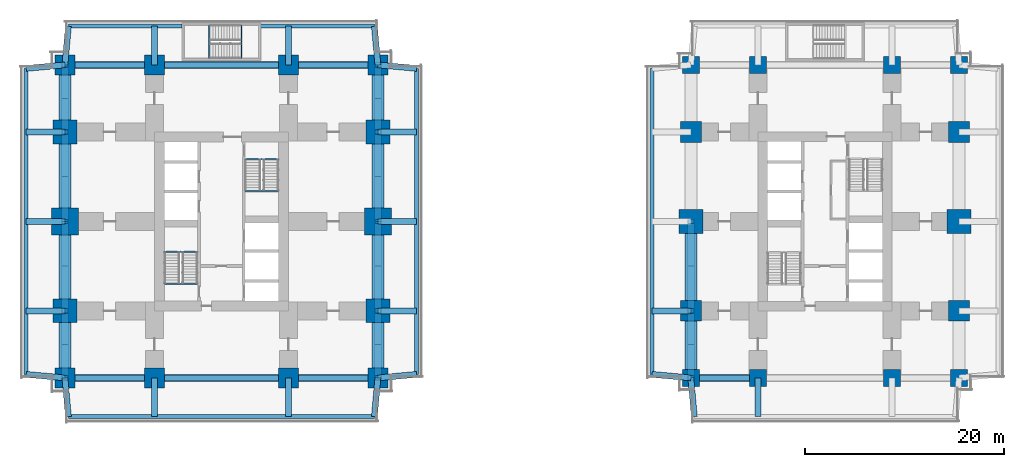
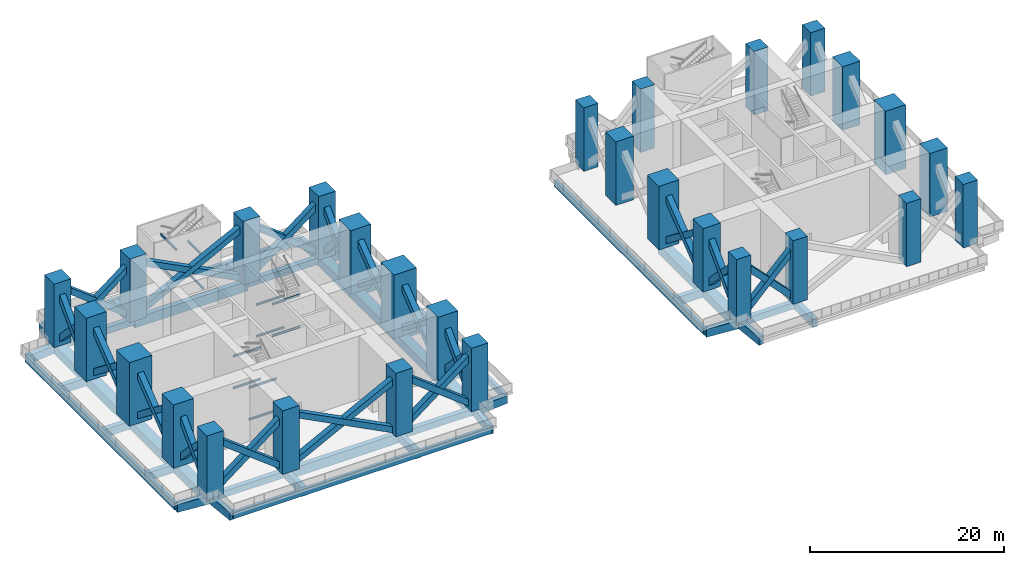
# One storey, part 1 of 12: 57 beams, 34 members, 28 columns.
"""IFC4 building model written with IfcOpenShell, lengths in metres."""

from ifc_helpers import new_model, si_unit, direction, frame, origin, origin_2d, place, context, subcontext, project, spatial, rectangle, hollow_rectangle, i_section, extrude, material, material_profile, profile_set, type_object, element, save


model = new_model("IFC4")

# Units and contexts
model_context = context("Model", 3, precision=1e-05, world=origin(), true_north=direction((0.0, 1.0)))
body_context = subcontext(model_context, "Body", "Model", "MODEL_VIEW")
ifc_project = project(units=[si_unit("LENGTHUNIT", "METRE"), si_unit("AREAUNIT", "SQUARE_METRE"), si_unit("VOLUMEUNIT", "CUBIC_METRE"), si_unit("PLANEANGLEUNIT", "RADIAN"), si_unit("MASSUNIT", "GRAM", prefix="KILO")], contexts=[model_context])

# Site, building, storey
site_placement = place(None, origin())
site = spatial("IfcSite", under=ifc_project, at=site_placement, CompositionType="ELEMENT")
building_placement = place(site_placement, origin())
building = spatial("IfcBuilding", under=site, at=building_placement, Name="Namib Vertical Campus", CompositionType="ELEMENT")
storey_placement = place(building_placement, frame((0.0, 0.0, 77.0)))
storey = spatial("IfcBuildingStorey", under=building, at=storey_placement, Name="L18", CompositionType="ELEMENT", Elevation=77.0)

# Columns
ifc_material_1 = material(Name="Concrete C60/75", Category="concrete")
ifc_material_profile_1 = material_profile(ifc_material_1, rectangle(XDim=1.699951171875, YDim=1.699951171875, at=origin_2d()))
ifc_profile_set_1 = profile_set([ifc_material_profile_1], Name="Concrete C60/75")
column_type_1 = type_object("IfcColumnType", Name="Column RC 1700x1700", PredefinedType="COLUMN", material=ifc_profile_set_1)
for number, where, z_axis, x_axis, name in (
    (1, (67.5, 4.5, 0.0), (0.0, 0.0, 1.0), (1.0, 0.0, 0.0), "Column C170 L18"),
    (2, (74.25, 4.5, 0.0), (0.0, 0.0, 1.0), (1.0, 0.0, 0.0), "Column C170 L18"),
    (3, (87.75, 4.5, 0.0), (0.0, 0.0, 1.0), (1.0, 0.0, 0.0), "Column C170 L18"),
    (4, (94.5, 4.5, 0.0), (0.0, 0.0, 1.0), (1.0, 0.0, 0.0), "Column C170 L18"),
    (5, (67.5, 36.0, 0.0), (0.0, 0.0, 1.0), (1.0, 0.0, 0.0), "Column C170 L18"),
    (6, (74.25, 36.0, 0.0), (0.0, 0.0, 1.0), (1.0, 0.0, 0.0), "Column C170 L18"),
    (7, (87.75, 36.0, 0.0), (0.0, 0.0, 1.0), (1.0, 0.0, 0.0), "Column C170 L18"),
    (8, (94.5, 36.0, 0.0), (0.0, 0.0, 1.0), (1.0, 0.0, 0.0), "Column C170 L18"),
):
    element("IfcColumn", number, at=place(storey_placement, frame(where, z_axis=z_axis, x_axis=x_axis)), inside=storey, type_object=column_type_1, Name=name, PredefinedType="COLUMN", context=body_context, shape_type="SweptSolid", body=[
        extrude(rectangle(XDim=1.699951171875, YDim=1.699951171875, at=origin_2d()), origin(), (0.0, 0.0, 1.0), 8.0),
    ])
ifc_material_2 = material(Name="Concrete C60/75", Category="concrete")
ifc_material_profile_2 = material_profile(ifc_material_2, rectangle(XDim=2.0, YDim=2.0, at=origin_2d()))
ifc_profile_set_2 = profile_set([ifc_material_profile_2], Name="Concrete C60/75")
column_type_2 = type_object("IfcColumnType", Name="Column RC 2000x2000", PredefinedType="COLUMN", material=ifc_profile_set_2)
for number, where, z_axis, x_axis, name in (
    (9, (4.5, 4.5, 0.0), (0.0, 0.0, 1.0), (1.0, 0.0, 0.0), "Column C200 L18"),
    (10, (13.5, 4.5, 0.0), (0.0, 0.0, 1.0), (1.0, 0.0, 0.0), "Column C200 L18"),
    (11, (27.0, 4.5, 0.0), (0.0, 0.0, 1.0), (1.0, 0.0, 0.0), "Column C200 L18"),
    (12, (36.0, 4.5, 0.0), (0.0, 0.0, 1.0), (1.0, 0.0, 0.0), "Column C200 L18"),
    (13, (4.5, 36.0, 0.0), (0.0, 0.0, 1.0), (1.0, 0.0, 0.0), "Column C200 L18"),
    (14, (13.5, 36.0, 0.0), (0.0, 0.0, 1.0), (1.0, 0.0, 0.0), "Column C200 L18"),
    (15, (27.0, 36.0, 0.0), (0.0, 0.0, 1.0), (1.0, 0.0, 0.0), "Column C200 L18"),
    (16, (36.0, 36.0, 0.0), (0.0, 0.0, 1.0), (1.0, 0.0, 0.0), "Column C200 L18"),
):
    element("IfcColumn", number, at=place(storey_placement, frame(where, z_axis=z_axis, x_axis=x_axis)), inside=storey, type_object=column_type_2, Name=name, PredefinedType="COLUMN", context=body_context, shape_type="SweptSolid", body=[
        extrude(rectangle(XDim=2.0, YDim=2.0, at=origin_2d()), origin(), (0.0, 0.0, 1.0), 8.0),
    ])
ifc_material_3 = material(Name="Concrete C60/75", Category="concrete")
ifc_material_profile_3 = material_profile(ifc_material_3, rectangle(XDim=2.10009765625, YDim=2.10009765625, at=origin_2d()))
ifc_profile_set_3 = profile_set([ifc_material_profile_3], Name="Concrete C60/75")
column_type_3 = type_object("IfcColumnType", Name="Column RC 2100x2100", PredefinedType="COLUMN", material=ifc_profile_set_3)
for number, where, z_axis, x_axis, name in (
    (17, (67.5, 11.25, 0.0), (0.0, 0.0, 1.0), (1.0, 0.0, 0.0), "Column C210 L18"),
    (18, (94.5, 11.25, 0.0), (0.0, 0.0, 1.0), (1.0, 0.0, 0.0), "Column C210 L18"),
    (19, (67.5, 29.25, 0.0), (0.0, 0.0, 1.0), (1.0, 0.0, 0.0), "Column C210 L18"),
    (20, (94.5, 29.25, 0.0), (0.0, 0.0, 1.0), (1.0, 0.0, 0.0), "Column C210 L18"),
):
    element("IfcColumn", number, at=place(storey_placement, frame(where, z_axis=z_axis, x_axis=x_axis)), inside=storey, type_object=column_type_3, Name=name, PredefinedType="COLUMN", context=body_context, shape_type="SweptSolid", body=[
        extrude(rectangle(XDim=2.10009765625, YDim=2.10009765625, at=origin_2d()), origin(), (0.0, 0.0, 1.0), 8.0),
    ])
ifc_material_4 = material(Name="Concrete C60/75", Category="concrete")
ifc_material_profile_4 = material_profile(ifc_material_4, rectangle(XDim=2.39990234375, YDim=2.39990234375, at=origin_2d()))
ifc_profile_set_4 = profile_set([ifc_material_profile_4], Name="Concrete C60/75")
column_type_4 = type_object("IfcColumnType", Name="Column RC 2400x2400", PredefinedType="COLUMN", material=ifc_profile_set_4)
for number, where, z_axis, x_axis, name in (
    (21, (4.5, 11.25, 0.0), (0.0, 0.0, 1.0), (1.0, 0.0, 0.0), "Column C240 L18"),
    (22, (36.0, 11.25, 0.0), (0.0, 0.0, 1.0), (1.0, 0.0, 0.0), "Column C240 L18"),
    (23, (4.5, 29.25, 0.0), (0.0, 0.0, 1.0), (1.0, 0.0, 0.0), "Column C240 L18"),
    (24, (36.0, 29.25, 0.0), (0.0, 0.0, 1.0), (1.0, 0.0, 0.0), "Column C240 L18"),
    (25, (67.5, 20.25, 0.0), (0.0, 0.0, 1.0), (1.0, 0.0, 0.0), "Column C240 L18"),
    (26, (94.5, 20.25, 0.0), (0.0, 0.0, 1.0), (1.0, 0.0, 0.0), "Column C240 L18"),
):
    element("IfcColumn", number, at=place(storey_placement, frame(where, z_axis=z_axis, x_axis=x_axis)), inside=storey, type_object=column_type_4, Name=name, PredefinedType="COLUMN", context=body_context, shape_type="SweptSolid", body=[
        extrude(rectangle(XDim=2.39990234375, YDim=2.39990234375, at=origin_2d()), origin(), (0.0, 0.0, 1.0), 8.0),
    ])
ifc_material_5 = material(Name="Concrete C60/75", Category="concrete")
ifc_material_profile_5 = material_profile(ifc_material_5, rectangle(XDim=2.699951171875, YDim=2.699951171875, at=origin_2d()))
ifc_profile_set_5 = profile_set([ifc_material_profile_5], Name="Concrete C60/75")
column_type_5 = type_object("IfcColumnType", Name="Column RC 2700x2700", PredefinedType="COLUMN", material=ifc_profile_set_5)
for number, where, z_axis, x_axis, name in (
    (27, (4.5, 20.25, 0.0), (0.0, 0.0, 1.0), (1.0, 0.0, 0.0), "Column C270 L18"),
    (28, (36.0, 20.25, 0.0), (0.0, 0.0, 1.0), (1.0, 0.0, 0.0), "Column C270 L18"),
):
    element("IfcColumn", number, at=place(storey_placement, frame(where, z_axis=z_axis, x_axis=x_axis)), inside=storey, type_object=column_type_5, Name=name, PredefinedType="COLUMN", context=body_context, shape_type="SweptSolid", body=[
        extrude(rectangle(XDim=2.699951171875, YDim=2.699951171875, at=origin_2d()), origin(), (0.0, 0.0, 1.0), 8.0),
    ])

# Members
ifc_material_6 = material(Name="Steel S355JR", Category="steel")
ifc_material_profile_6 = material_profile(ifc_material_6, hollow_rectangle(XDim=0.699951171875, YDim=0.699951171875, WallThickness=0.0400390625, at=origin_2d()))
ifc_profile_set_6 = profile_set([ifc_material_profile_6], Name="Steel S355JR")
member_type = type_object("IfcMemberType", Name="Belt truss diagonal WB 700x700x40", PredefinedType="BRACE", material=ifc_profile_set_6)
for number, where, z_axis, x_axis, name in (
    (29, (4.5, 4.5, 0.0), (0.79148044328, 0.0, 0.611194492699), (0.0, 1.0, 0.0), "Belt truss diagonal A L18 S1"),
    (30, (13.5, 4.5, 0.0), (-0.79148044328, 0.0, 0.611194492699), (0.0, -1.0, 0.0), "Belt truss diagonal A L18 S2"),
):
    element("IfcMember", number, at=place(storey_placement, frame(where, z_axis=z_axis, x_axis=x_axis)), inside=storey, type_object=member_type, Name=name, PredefinedType="BRACE", context=body_context, shape_type="SweptSolid", body=[
        extrude(hollow_rectangle(XDim=0.699951171875, YDim=0.699951171875, WallThickness=0.0400390625, at=origin_2d()), origin(), (0.0, 0.0, 1.0), 11.37109375),
    ])
for number, where, z_axis, x_axis, name in (
    (31, (13.5, 4.5, 0.0), (0.889097706218, 0.0, 0.457717455203), (0.0, 1.0, 0.0), "Belt truss diagonal A L18 S3"),
    (32, (27.0, 4.5, 0.0), (-0.889097706218, 0.0, 0.457717455203), (0.0, -1.0, 0.0), "Belt truss diagonal A L18 S4"),
):
    element("IfcMember", number, at=place(storey_placement, frame(where, z_axis=z_axis, x_axis=x_axis)), inside=storey, type_object=member_type, Name=name, PredefinedType="BRACE", context=body_context, shape_type="SweptSolid", body=[
        extrude(hollow_rectangle(XDim=0.699951171875, YDim=0.699951171875, WallThickness=0.0400390625, at=origin_2d()), origin(), (0.0, 0.0, 1.0), 15.183837890625),
    ])
for number, where, z_axis, x_axis, name in (
    (33, (27.0, 4.5, 0.0), (0.79148044328, 0.0, 0.611194492699), (0.0, 1.0, 0.0), "Belt truss diagonal A L18 S5"),
    (34, (36.0, 4.5, 0.0), (-0.79148044328, 0.0, 0.611194492699), (0.0, -1.0, 0.0), "Belt truss diagonal A L18 S6"),
    (35, (4.5, 36.0, 0.0), (0.79148044328, 0.0, 0.611194492699), (0.0, 1.0, 0.0), "Belt truss diagonal A L18 N7"),
    (36, (13.5, 36.0, 0.0), (-0.79148044328, 0.0, 0.611194492699), (0.0, -1.0, 0.0), "Belt truss diagonal A L18 N8"),
):
    element("IfcMember", number, at=place(storey_placement, frame(where, z_axis=z_axis, x_axis=x_axis)), inside=storey, type_object=member_type, Name=name, PredefinedType="BRACE", context=body_context, shape_type="SweptSolid", body=[
        extrude(hollow_rectangle(XDim=0.699951171875, YDim=0.699951171875, WallThickness=0.0400390625, at=origin_2d()), origin(), (0.0, 0.0, 1.0), 11.37109375),
    ])
for number, where, z_axis, x_axis, name in (
    (37, (13.5, 36.0, 0.0), (0.889097706218, 0.0, 0.457717455203), (0.0, 1.0, 0.0), "Belt truss diagonal A L18 N9"),
    (38, (27.0, 36.0, 0.0), (-0.889097706218, 0.0, 0.457717455203), (0.0, -1.0, 0.0), "Belt truss diagonal A L18 N10"),
):
    element("IfcMember", number, at=place(storey_placement, frame(where, z_axis=z_axis, x_axis=x_axis)), inside=storey, type_object=member_type, Name=name, PredefinedType="BRACE", context=body_context, shape_type="SweptSolid", body=[
        extrude(hollow_rectangle(XDim=0.699951171875, YDim=0.699951171875, WallThickness=0.0400390625, at=origin_2d()), origin(), (0.0, 0.0, 1.0), 15.183837890625),
    ])
for number, where, z_axis, x_axis, name in (
    (39, (27.0, 36.0, 0.0), (0.79148044328, 0.0, 0.611194492699), (0.0, 1.0, 0.0), "Belt truss diagonal A L18 N11"),
    (40, (36.0, 36.0, 0.0), (-0.79148044328, 0.0, 0.611194492699), (0.0, -1.0, 0.0), "Belt truss diagonal A L18 N12"),
):
    element("IfcMember", number, at=place(storey_placement, frame(where, z_axis=z_axis, x_axis=x_axis)), inside=storey, type_object=member_type, Name=name, PredefinedType="BRACE", context=body_context, shape_type="SweptSolid", body=[
        extrude(hollow_rectangle(XDim=0.699951171875, YDim=0.699951171875, WallThickness=0.0400390625, at=origin_2d()), origin(), (0.0, 0.0, 1.0), 11.37109375),
    ])
for number, where, z_axis, x_axis, name in (
    (41, (4.5, 4.5, 0.0), (0.0, 0.696712336785, 0.717350625407), (-1.0, 0.0, 0.0), "Belt truss diagonal A L18 W13"),
    (42, (4.5, 11.25, 0.0), (0.0, -0.696712336785, 0.717350625407), (1.0, 0.0, 0.0), "Belt truss diagonal A L18 W14"),
):
    element("IfcMember", number, at=place(storey_placement, frame(where, z_axis=z_axis, x_axis=x_axis)), inside=storey, type_object=member_type, Name=name, PredefinedType="BRACE", context=body_context, shape_type="SweptSolid", body=[
        extrude(hollow_rectangle(XDim=0.699951171875, YDim=0.699951171875, WallThickness=0.0400390625, at=origin_2d()), origin(), (0.0, 0.0, 1.0), 9.6884765625),
    ])
for number, where, z_axis, x_axis, name in (
    (43, (4.5, 11.25, 0.0), (0.0, 0.79148044328, 0.611194492699), (-1.0, 0.0, 0.0), "Belt truss diagonal A L18 W15"),
    (44, (4.5, 20.25, 0.0), (0.0, -0.79148044328, 0.611194492699), (1.0, 0.0, 0.0), "Belt truss diagonal A L18 W16"),
    (45, (4.5, 20.25, 0.0), (0.0, 0.79148044328, 0.611194492699), (-1.0, 0.0, 0.0), "Belt truss diagonal A L18 W17"),
    (46, (4.5, 29.25, 0.0), (0.0, -0.79148044328, 0.611194492699), (1.0, 0.0, 0.0), "Belt truss diagonal A L18 W18"),
):
    element("IfcMember", number, at=place(storey_placement, frame(where, z_axis=z_axis, x_axis=x_axis)), inside=storey, type_object=member_type, Name=name, PredefinedType="BRACE", context=body_context, shape_type="SweptSolid", body=[
        extrude(hollow_rectangle(XDim=0.699951171875, YDim=0.699951171875, WallThickness=0.0400390625, at=origin_2d()), origin(), (0.0, 0.0, 1.0), 11.37109375),
    ])
for number, where, z_axis, x_axis, name in (
    (47, (4.5, 29.25, 0.0), (0.0, 0.696712336785, 0.717350625407), (-1.0, 0.0, 0.0), "Belt truss diagonal A L18 W19"),
    (48, (4.5, 36.0, 0.0), (0.0, -0.696712336785, 0.717350625407), (1.0, 0.0, 0.0), "Belt truss diagonal A L18 W20"),
    (49, (36.0, 4.5, 0.0), (0.0, 0.696712336785, 0.717350625407), (-1.0, 0.0, 0.0), "Belt truss diagonal A L18 E21"),
    (50, (36.0, 11.25, 0.0), (0.0, -0.696712336785, 0.717350625407), (1.0, 0.0, 0.0), "Belt truss diagonal A L18 E22"),
):
    element("IfcMember", number, at=place(storey_placement, frame(where, z_axis=z_axis, x_axis=x_axis)), inside=storey, type_object=member_type, Name=name, PredefinedType="BRACE", context=body_context, shape_type="SweptSolid", body=[
        extrude(hollow_rectangle(XDim=0.699951171875, YDim=0.699951171875, WallThickness=0.0400390625, at=origin_2d()), origin(), (0.0, 0.0, 1.0), 9.6884765625),
    ])
for number, where, z_axis, x_axis, name in (
    (51, (36.0, 11.25, 0.0), (0.0, 0.79148044328, 0.611194492699), (-1.0, 0.0, 0.0), "Belt truss diagonal A L18 E23"),
    (52, (36.0, 20.25, 0.0), (0.0, -0.79148044328, 0.611194492699), (1.0, 0.0, 0.0), "Belt truss diagonal A L18 E24"),
    (53, (36.0, 20.25, 0.0), (0.0, 0.79148044328, 0.611194492699), (-1.0, 0.0, 0.0), "Belt truss diagonal A L18 E25"),
    (54, (36.0, 29.25, 0.0), (0.0, -0.79148044328, 0.611194492699), (1.0, 0.0, 0.0), "Belt truss diagonal A L18 E26"),
):
    element("IfcMember", number, at=place(storey_placement, frame(where, z_axis=z_axis, x_axis=x_axis)), inside=storey, type_object=member_type, Name=name, PredefinedType="BRACE", context=body_context, shape_type="SweptSolid", body=[
        extrude(hollow_rectangle(XDim=0.699951171875, YDim=0.699951171875, WallThickness=0.0400390625, at=origin_2d()), origin(), (0.0, 0.0, 1.0), 11.37109375),
    ])
for number, where, z_axis, x_axis, name in (
    (55, (36.0, 29.25, 0.0), (0.0, 0.696712336785, 0.717350625407), (-1.0, 0.0, 0.0), "Belt truss diagonal A L18 E27"),
    (56, (36.0, 36.0, 0.0), (0.0, -0.696712336785, 0.717350625407), (1.0, 0.0, 0.0), "Belt truss diagonal A L18 E28"),
    (57, (67.5, 4.5, 0.0), (0.696712336785, 0.0, 0.717350625407), (0.0, 1.0, 0.0), "Belt truss diagonal B L18 S1"),
    (58, (74.25, 4.5, 0.0), (-0.696712336785, 0.0, 0.717350625407), (0.0, -1.0, 0.0), "Belt truss diagonal B L18 S2"),
    (59, (67.5, 4.5, 0.0), (0.0, 0.696712336785, 0.717350625407), (-1.0, 0.0, 0.0), "Belt truss diagonal B L18 W13"),
    (60, (67.5, 11.25, 0.0), (0.0, -0.696712336785, 0.717350625407), (1.0, 0.0, 0.0), "Belt truss diagonal B L18 W14"),
):
    element("IfcMember", number, at=place(storey_placement, frame(where, z_axis=z_axis, x_axis=x_axis)), inside=storey, type_object=member_type, Name=name, PredefinedType="BRACE", context=body_context, shape_type="SweptSolid", body=[
        extrude(hollow_rectangle(XDim=0.699951171875, YDim=0.699951171875, WallThickness=0.0400390625, at=origin_2d()), origin(), (0.0, 0.0, 1.0), 9.6884765625),
    ])
for number, where, z_axis, x_axis, name in (
    (61, (67.5, 11.25, 0.0), (0.0, 0.79148044328, 0.611194492699), (-1.0, 0.0, 0.0), "Belt truss diagonal B L18 W15"),
    (62, (67.5, 20.25, 0.0), (0.0, -0.79148044328, 0.611194492699), (1.0, 0.0, 0.0), "Belt truss diagonal B L18 W16"),
):
    element("IfcMember", number, at=place(storey_placement, frame(where, z_axis=z_axis, x_axis=x_axis)), inside=storey, type_object=member_type, Name=name, PredefinedType="BRACE", context=body_context, shape_type="SweptSolid", body=[
        extrude(hollow_rectangle(XDim=0.699951171875, YDim=0.699951171875, WallThickness=0.0400390625, at=origin_2d()), origin(), (0.0, 0.0, 1.0), 11.37109375),
    ])

# Beams
ifc_material_7 = material(Name="Concrete C40/50", Category="concrete")
ifc_material_profile_7 = material_profile(ifc_material_7, rectangle(XDim=1.199951171875, YDim=1.10009765625, at=origin_2d()))
ifc_profile_set_7 = profile_set([ifc_material_profile_7], Name="Concrete C40/50")
beam_type_1 = type_object("IfcBeamType", Name="Face ring beam RC 1200x1100", PredefinedType="BEAM", material=ifc_profile_set_7)
beam_1_placement = place(storey_placement, frame((4.5, 4.5, -0.800048828125), z_axis=(0.0, 1.0, 0.0), x_axis=(-1.0, 0.0, 0.0)))
element("IfcBeam", 63, at=beam_1_placement, inside=storey, type_object=beam_type_1, Name="Beam B11 L18", PredefinedType="BEAM", context=body_context, shape_type="SweptSolid", body=[
    extrude(rectangle(XDim=1.199951171875, YDim=1.10009765625, at=origin_2d()), origin(), (0.0, 0.0, 1.0), 6.75),
])
for number, where, z_axis, x_axis, name in (
    (64, (4.5, 11.25, -0.800048828125), (0.0, 1.0, 0.0), (-1.0, 0.0, 0.0), "Beam B11 L18"),
    (65, (4.5, 20.25, -0.800048828125), (0.0, 1.0, 0.0), (-1.0, 0.0, 0.0), "Beam B11 L18"),
):
    element("IfcBeam", number, at=place(storey_placement, frame(where, z_axis=z_axis, x_axis=x_axis)), inside=storey, type_object=beam_type_1, Name=name, PredefinedType="BEAM", context=body_context, shape_type="SweptSolid", body=[
        extrude(rectangle(XDim=1.199951171875, YDim=1.10009765625, at=origin_2d()), origin(), (0.0, 0.0, 1.0), 9.0),
    ])
for number, where, z_axis, x_axis, name in (
    (66, (4.5, 29.25, -0.800048828125), (0.0, 1.0, 0.0), (-1.0, 0.0, 0.0), "Beam B11 L18"),
    (67, (36.0, 4.5, -0.800048828125), (0.0, 1.0, 0.0), (-1.0, 0.0, 0.0), "Beam B11 L18"),
):
    element("IfcBeam", number, at=place(storey_placement, frame(where, z_axis=z_axis, x_axis=x_axis)), inside=storey, type_object=beam_type_1, Name=name, PredefinedType="BEAM", context=body_context, shape_type="SweptSolid", body=[
        extrude(rectangle(XDim=1.199951171875, YDim=1.10009765625, at=origin_2d()), origin(), (0.0, 0.0, 1.0), 6.75),
    ])
for number, where, z_axis, x_axis, name in (
    (68, (36.0, 11.25, -0.800048828125), (0.0, 1.0, 0.0), (-1.0, 0.0, 0.0), "Beam B11 L18"),
    (69, (36.0, 20.25, -0.800048828125), (0.0, 1.0, 0.0), (-1.0, 0.0, 0.0), "Beam B11 L18"),
):
    element("IfcBeam", number, at=place(storey_placement, frame(where, z_axis=z_axis, x_axis=x_axis)), inside=storey, type_object=beam_type_1, Name=name, PredefinedType="BEAM", context=body_context, shape_type="SweptSolid", body=[
        extrude(rectangle(XDim=1.199951171875, YDim=1.10009765625, at=origin_2d()), origin(), (0.0, 0.0, 1.0), 9.0),
    ])
for number, where, z_axis, x_axis, name in (
    (70, (36.0, 29.25, -0.800048828125), (0.0, 1.0, 0.0), (-1.0, 0.0, 0.0), "Beam B11 L18"),
    (71, (67.5, 4.5, -0.800048828125), (0.0, 1.0, 0.0), (-1.0, 0.0, 0.0), "Beam B11 L18"),
):
    element("IfcBeam", number, at=place(storey_placement, frame(where, z_axis=z_axis, x_axis=x_axis)), inside=storey, type_object=beam_type_1, Name=name, PredefinedType="BEAM", context=body_context, shape_type="SweptSolid", body=[
        extrude(rectangle(XDim=1.199951171875, YDim=1.10009765625, at=origin_2d()), origin(), (0.0, 0.0, 1.0), 6.75),
    ])
beam_2_placement = place(storey_placement, frame((67.5, 11.25, -0.800048828125), z_axis=(0.0, 1.0, 0.0), x_axis=(-1.0, 0.0, 0.0)))
element("IfcBeam", 72, at=beam_2_placement, inside=storey, type_object=beam_type_1, Name="Beam B11 L18", PredefinedType="BEAM", context=body_context, shape_type="SweptSolid", body=[
    extrude(rectangle(XDim=1.199951171875, YDim=1.10009765625, at=origin_2d()), origin(), (0.0, 0.0, 1.0), 9.0),
])
ifc_material_8 = material(Name="Steel S355JR", Category="steel")
ifc_material_profile_8 = material_profile(ifc_material_8, i_section(OverallWidth=0.14599609375, OverallDepth=0.25146484375, WebThickness=0.006103515625, FlangeThickness=0.008544921875, FilletRadius=0.007568359375, at=origin_2d()))
ifc_profile_set_8 = profile_set([ifc_material_profile_8], Name="Steel S355JR")
beam_type_2 = type_object("IfcBeamType", Name="Landing trimmer UB 254x146x31", PredefinedType="BEAM", material=ifc_profile_set_8)
for number, where, z_axis, x_axis, name in (
    (73, (14.5, 13.97705078125, -0.125732421875), (1.0, 0.0, 0.0), (0.0, 1.0, 0.0), "Landing trimmer LT1 A-S1 L18 1"),
    (74, (14.5, 17.203125, 1.874267578125), (1.0, 0.0, 0.0), (0.0, 1.0, 0.0), "Landing trimmer LT1 A-S1 L18 2"),
    (75, (14.5, 13.97705078125, 3.874267578125), (1.0, 0.0, 0.0), (0.0, 1.0, 0.0), "Landing trimmer LT1 A-S1 L18 3"),
    (76, (14.5, 17.203125, 5.874267578125), (1.0, 0.0, 0.0), (0.0, 1.0, 0.0), "Landing trimmer LT1 A-S1 L18 4"),
    (77, (22.64990234375, 26.52294921875, -0.125732421875), (1.0, 0.0, 0.0), (0.0, 1.0, 0.0), "Landing trimmer LT1 A-S2 L18 1"),
    (78, (22.64990234375, 23.296875, 1.874267578125), (1.0, 0.0, 0.0), (0.0, 1.0, 0.0), "Landing trimmer LT1 A-S2 L18 2"),
    (79, (22.64990234375, 26.52294921875, 3.874267578125), (1.0, 0.0, 0.0), (0.0, 1.0, 0.0), "Landing trimmer LT1 A-S2 L18 3"),
    (80, (22.64990234375, 23.296875, 5.874267578125), (1.0, 0.0, 0.0), (0.0, 1.0, 0.0), "Landing trimmer LT1 A-S2 L18 4"),
    (81, (22.27294921875, 36.64990234375, -0.125732421875), (0.0, 1.0, 0.0), (-1.0, 0.0, 0.0), "Landing trimmer LT1 A-S3 L18 1"),
    (82, (19.046875, 36.64990234375, 1.874267578125), (0.0, 1.0, 0.0), (-1.0, 0.0, 0.0), "Landing trimmer LT1 A-S3 L18 2"),
    (83, (22.27294921875, 36.64990234375, 3.874267578125), (0.0, 1.0, 0.0), (-1.0, 0.0, 0.0), "Landing trimmer LT1 A-S3 L18 3"),
    (84, (19.046875, 36.64990234375, 5.874267578125), (0.0, 1.0, 0.0), (-1.0, 0.0, 0.0), "Landing trimmer LT1 A-S3 L18 4"),
):
    element("IfcBeam", number, at=place(storey_placement, frame(where, z_axis=z_axis, x_axis=x_axis)), inside=storey, type_object=beam_type_2, Name=name, PredefinedType="BEAM", context=body_context, shape_type="SweptSolid", body=[
        extrude(i_section(OverallWidth=0.14599609375, OverallDepth=0.25146484375, WebThickness=0.006103515625, FlangeThickness=0.008544921875, FilletRadius=0.007568359375, at=origin_2d()), origin(), (0.0, 0.0, 1.0), 3.35009765625),
    ])
ifc_material_9 = material(Name="Concrete C40/50", Category="concrete")
ifc_material_profile_9 = material_profile(ifc_material_9, rectangle(XDim=0.60009765625, YDim=1.199951171875, at=origin_2d()))
ifc_profile_set_9 = profile_set([ifc_material_profile_9], Name="Concrete C40/50")
beam_type_3 = type_object("IfcBeamType", Name="Long-span ring beam RC 600x1200", PredefinedType="BEAM", material=ifc_profile_set_9)
for number, where, z_axis, x_axis, name in (
    (85, (13.5, 4.5, -0.85009765625), (1.0, 0.0, 0.0), (0.0, 1.0, 0.0), "Beam B9 L18"),
    (86, (13.5, 36.0, -0.85009765625), (1.0, 0.0, 0.0), (0.0, 1.0, 0.0), "Beam B9 L18"),
):
    element("IfcBeam", number, at=place(storey_placement, frame(where, z_axis=z_axis, x_axis=x_axis)), inside=storey, type_object=beam_type_3, Name=name, PredefinedType="BEAM", context=body_context, shape_type="SweptSolid", body=[
        extrude(rectangle(XDim=0.60009765625, YDim=1.199951171875, at=origin_2d()), origin(), (0.0, 0.0, 1.0), 13.5),
    ])
ifc_material_10 = material(Name="Concrete C40/50", Category="concrete")
ifc_material_profile_10 = material_profile(ifc_material_10, rectangle(XDim=0.60009765625, YDim=1.0, at=origin_2d()))
ifc_profile_set_10 = profile_set([ifc_material_profile_10], Name="Concrete C40/50")
beam_type_4 = type_object("IfcBeamType", Name="Portal cantilever girder RC 600x1000", PredefinedType="BEAM", material=ifc_profile_set_10)
beam_3_placement = place(storey_placement, frame((4.5, 4.5, -0.75), z_axis=(0.089411326146, -0.995994786511, 0.0), x_axis=(0.995994786511, 0.089411326146, 0.0)))
element("IfcBeam", 87, at=beam_3_placement, inside=storey, type_object=beam_type_4, Name="Beam B14 L18", PredefinedType="BEAM", context=body_context, shape_type="SweptSolid", body=[
    extrude(rectangle(XDim=0.60009765625, YDim=1.0, at=origin_2d()), origin(), (0.0, 0.0, 1.0), 3.91552734375),
])
for number, where, z_axis, x_axis, name in (
    (88, (13.5, 4.5, -0.75), (0.0, -1.0, 0.0), (1.0, 0.0, 0.0), "Beam B14 L18"),
    (89, (27.0, 4.5, -0.75), (0.0, -1.0, 0.0), (1.0, 0.0, 0.0), "Beam B14 L18"),
):
    element("IfcBeam", number, at=place(storey_placement, frame(where, z_axis=z_axis, x_axis=x_axis)), inside=storey, type_object=beam_type_4, Name=name, PredefinedType="BEAM", context=body_context, shape_type="SweptSolid", body=[
        extrude(rectangle(XDim=0.60009765625, YDim=1.0, at=origin_2d()), origin(), (0.0, 0.0, 1.0), 3.89990234375),
    ])
for number, where, z_axis, x_axis, name in (
    (90, (36.0, 4.5, -0.75), (-0.089411326146, -0.995994786511, 0.0), (0.995994786511, -0.089411326146, 0.0), "Beam B14 L18"),
    (91, (4.5, 36.0, -0.75), (0.089411326146, 0.995994786511, 0.0), (-0.995994786511, 0.089411326146, 0.0), "Beam B14 L18"),
):
    element("IfcBeam", number, at=place(storey_placement, frame(where, z_axis=z_axis, x_axis=x_axis)), inside=storey, type_object=beam_type_4, Name=name, PredefinedType="BEAM", context=body_context, shape_type="SweptSolid", body=[
        extrude(rectangle(XDim=0.60009765625, YDim=1.0, at=origin_2d()), origin(), (0.0, 0.0, 1.0), 3.91552734375),
    ])
for number, where, z_axis, x_axis, name in (
    (92, (13.5, 36.0, -0.75), (0.0, 1.0, 0.0), (-1.0, 0.0, 0.0), "Beam B14 L18"),
    (93, (27.0, 36.0, -0.75), (0.0, 1.0, 0.0), (-1.0, 0.0, 0.0), "Beam B14 L18"),
):
    element("IfcBeam", number, at=place(storey_placement, frame(where, z_axis=z_axis, x_axis=x_axis)), inside=storey, type_object=beam_type_4, Name=name, PredefinedType="BEAM", context=body_context, shape_type="SweptSolid", body=[
        extrude(rectangle(XDim=0.60009765625, YDim=1.0, at=origin_2d()), origin(), (0.0, 0.0, 1.0), 3.89990234375),
    ])
for number, where, z_axis, x_axis, name in (
    (94, (36.0, 36.0, -0.75), (-0.089411326146, 0.995994786511, 0.0), (-0.995994786511, -0.089411326146, 0.0), "Beam B14 L18"),
    (95, (4.5, 4.5, -0.75), (-0.995994786511, 0.089411326146, 0.0), (-0.089411326146, -0.995994786511, 0.0), "Beam B14 L18"),
):
    element("IfcBeam", number, at=place(storey_placement, frame(where, z_axis=z_axis, x_axis=x_axis)), inside=storey, type_object=beam_type_4, Name=name, PredefinedType="BEAM", context=body_context, shape_type="SweptSolid", body=[
        extrude(rectangle(XDim=0.60009765625, YDim=1.0, at=origin_2d()), origin(), (0.0, 0.0, 1.0), 3.91552734375),
    ])
for number, where, z_axis, x_axis, name in (
    (96, (4.5, 11.25, -0.75), (-1.0, 0.0, 0.0), (0.0, -1.0, 0.0), "Beam B14 L18"),
    (97, (4.5, 20.25, -0.75), (-1.0, 0.0, 0.0), (0.0, -1.0, 0.0), "Beam B14 L18"),
    (98, (4.5, 29.25, -0.75), (-1.0, 0.0, 0.0), (0.0, -1.0, 0.0), "Beam B14 L18"),
):
    element("IfcBeam", number, at=place(storey_placement, frame(where, z_axis=z_axis, x_axis=x_axis)), inside=storey, type_object=beam_type_4, Name=name, PredefinedType="BEAM", context=body_context, shape_type="SweptSolid", body=[
        extrude(rectangle(XDim=0.60009765625, YDim=1.0, at=origin_2d()), origin(), (0.0, 0.0, 1.0), 3.89990234375),
    ])
for number, where, z_axis, x_axis, name in (
    (99, (4.5, 36.0, -0.75), (-0.995994786511, -0.089411326146, 0.0), (0.089411326146, -0.995994786511, 0.0), "Beam B14 L18"),
    (100, (36.0, 4.5, -0.75), (0.995994786511, 0.089411326146, 0.0), (-0.089411326146, 0.995994786511, 0.0), "Beam B14 L18"),
):
    element("IfcBeam", number, at=place(storey_placement, frame(where, z_axis=z_axis, x_axis=x_axis)), inside=storey, type_object=beam_type_4, Name=name, PredefinedType="BEAM", context=body_context, shape_type="SweptSolid", body=[
        extrude(rectangle(XDim=0.60009765625, YDim=1.0, at=origin_2d()), origin(), (0.0, 0.0, 1.0), 3.91552734375),
    ])
for number, where, z_axis, x_axis, name in (
    (101, (36.0, 11.25, -0.75), (1.0, 0.0, 0.0), (0.0, 1.0, 0.0), "Beam B14 L18"),
    (102, (36.0, 20.25, -0.75), (1.0, 0.0, 0.0), (0.0, 1.0, 0.0), "Beam B14 L18"),
    (103, (36.0, 29.25, -0.75), (1.0, 0.0, 0.0), (0.0, 1.0, 0.0), "Beam B14 L18"),
):
    element("IfcBeam", number, at=place(storey_placement, frame(where, z_axis=z_axis, x_axis=x_axis)), inside=storey, type_object=beam_type_4, Name=name, PredefinedType="BEAM", context=body_context, shape_type="SweptSolid", body=[
        extrude(rectangle(XDim=0.60009765625, YDim=1.0, at=origin_2d()), origin(), (0.0, 0.0, 1.0), 3.89990234375),
    ])
for number, where, z_axis, x_axis, name in (
    (104, (36.0, 36.0, -0.75), (0.995994786511, -0.089411326146, 0.0), (0.089411326146, 0.995994786511, 0.0), "Beam B14 L18"),
    (105, (67.5, 4.5, -0.75), (0.089411326146, -0.995994786511, 0.0), (0.995994786511, 0.089411326146, 0.0), "Beam B14 L18"),
):
    element("IfcBeam", number, at=place(storey_placement, frame(where, z_axis=z_axis, x_axis=x_axis)), inside=storey, type_object=beam_type_4, Name=name, PredefinedType="BEAM", context=body_context, shape_type="SweptSolid", body=[
        extrude(rectangle(XDim=0.60009765625, YDim=1.0, at=origin_2d()), origin(), (0.0, 0.0, 1.0), 3.91552734375),
    ])
beam_4_placement = place(storey_placement, frame((74.25, 4.5, -0.75), z_axis=(0.0, -1.0, 0.0), x_axis=(1.0, 0.0, 0.0)))
element("IfcBeam", 106, at=beam_4_placement, inside=storey, type_object=beam_type_4, Name="Beam B14 L18", PredefinedType="BEAM", context=body_context, shape_type="SweptSolid", body=[
    extrude(rectangle(XDim=0.60009765625, YDim=1.0, at=origin_2d()), origin(), (0.0, 0.0, 1.0), 3.89990234375),
])
beam_5_placement = place(storey_placement, frame((67.5, 4.5, -0.75), z_axis=(-0.995994786511, 0.089411326146, 0.0), x_axis=(-0.089411326146, -0.995994786511, 0.0)))
element("IfcBeam", 107, at=beam_5_placement, inside=storey, type_object=beam_type_4, Name="Beam B14 L18", PredefinedType="BEAM", context=body_context, shape_type="SweptSolid", body=[
    extrude(rectangle(XDim=0.60009765625, YDim=1.0, at=origin_2d()), origin(), (0.0, 0.0, 1.0), 3.91552734375),
])
beam_6_placement = place(storey_placement, frame((67.5, 11.25, -0.75), z_axis=(-1.0, 0.0, 0.0), x_axis=(0.0, -1.0, 0.0)))
element("IfcBeam", 108, at=beam_6_placement, inside=storey, type_object=beam_type_4, Name="Beam B14 L18", PredefinedType="BEAM", context=body_context, shape_type="SweptSolid", body=[
    extrude(rectangle(XDim=0.60009765625, YDim=1.0, at=origin_2d()), origin(), (0.0, 0.0, 1.0), 3.89990234375),
])
ifc_material_11 = material(Name="Concrete C40/50", Category="concrete")
ifc_material_profile_11 = material_profile(ifc_material_11, rectangle(XDim=0.39990234375, YDim=0.800048828125, at=origin_2d()))
ifc_profile_set_11 = profile_set([ifc_material_profile_11], Name="Concrete C40/50")
beam_type_5 = type_object("IfcBeamType", Name="Portal floor edge beam RC 400x800", PredefinedType="SPANDREL", material=ifc_profile_set_11)
beam_7_placement = place(storey_placement, frame((4.85009765625, 0.60009765625, -0.64990234375), z_axis=(1.0, 0.0, 0.0), x_axis=(0.0, 1.0, 0.0)))
element("IfcBeam", 109, at=beam_7_placement, inside=storey, type_object=beam_type_5, Name="Beam B15 L18", PredefinedType="SPANDREL", context=body_context, shape_type="SweptSolid", body=[
    extrude(rectangle(XDim=0.39990234375, YDim=0.800048828125, at=origin_2d()), origin(), (0.0, 0.0, 1.0), 30.7998046875),
])
for number, where, z_axis, x_axis, name in (
    (110, (4.85009765625, 39.89990234375, -0.64990234375), (1.0, 0.0, 0.0), (0.0, 1.0, 0.0), "Beam B15 L18"),
    (111, (24.199951171875, 39.89990234375, -0.64990234375), (1.0, 0.0, 0.0), (0.0, 1.0, 0.0), "Beam B15 L18"),
):
    element("IfcBeam", number, at=place(storey_placement, frame(where, z_axis=z_axis, x_axis=x_axis)), inside=storey, type_object=beam_type_5, Name=name, PredefinedType="SPANDREL", context=body_context, shape_type="SweptSolid", body=[
        extrude(rectangle(XDim=0.39990234375, YDim=0.800048828125, at=origin_2d()), origin(), (0.0, 0.0, 1.0), 11.449951171875),
    ])
for number, where, z_axis, x_axis, name in (
    (112, (0.60009765625, 4.85009765625, -0.64990234375), (0.0, 1.0, 0.0), (-1.0, 0.0, 0.0), "Beam B15 L18"),
    (113, (39.89990234375, 4.85009765625, -0.64990234375), (0.0, 1.0, 0.0), (-1.0, 0.0, 0.0), "Beam B15 L18"),
    (114, (63.60009765625, 4.85009765625, -0.64990234375), (0.0, 1.0, 0.0), (-1.0, 0.0, 0.0), "Beam B15 L18"),
):
    element("IfcBeam", number, at=place(storey_placement, frame(where, z_axis=z_axis, x_axis=x_axis)), inside=storey, type_object=beam_type_5, Name=name, PredefinedType="SPANDREL", context=body_context, shape_type="SweptSolid", body=[
        extrude(rectangle(XDim=0.39990234375, YDim=0.800048828125, at=origin_2d()), origin(), (0.0, 0.0, 1.0), 30.7998046875),
    ])
ifc_material_12 = material(Name="Concrete C40/50", Category="concrete")
ifc_material_profile_12 = material_profile(ifc_material_12, rectangle(XDim=0.60009765625, YDim=0.800048828125, at=origin_2d()))
ifc_profile_set_12 = profile_set([ifc_material_profile_12], Name="Concrete C40/50")
beam_type_6 = type_object("IfcBeamType", Name="Ring beam RC 600x800", PredefinedType="BEAM", material=ifc_profile_set_12)
for number, where, z_axis, x_axis, name in (
    (115, (4.5, 4.5, -0.64990234375), (1.0, 0.0, 0.0), (0.0, 1.0, 0.0), "Beam B1 L18"),
    (116, (27.0, 4.5, -0.64990234375), (1.0, 0.0, 0.0), (0.0, 1.0, 0.0), "Beam B1 L18"),
    (117, (4.5, 36.0, -0.64990234375), (1.0, 0.0, 0.0), (0.0, 1.0, 0.0), "Beam B1 L18"),
    (118, (27.0, 36.0, -0.64990234375), (1.0, 0.0, 0.0), (0.0, 1.0, 0.0), "Beam B1 L18"),
):
    element("IfcBeam", number, at=place(storey_placement, frame(where, z_axis=z_axis, x_axis=x_axis)), inside=storey, type_object=beam_type_6, Name=name, PredefinedType="BEAM", context=body_context, shape_type="SweptSolid", body=[
        extrude(rectangle(XDim=0.60009765625, YDim=0.800048828125, at=origin_2d()), origin(), (0.0, 0.0, 1.0), 9.0),
    ])
beam_8_placement = place(storey_placement, frame((67.5, 4.5, -0.64990234375), z_axis=(1.0, 0.0, 0.0), x_axis=(0.0, 1.0, 0.0)))
element("IfcBeam", 119, at=beam_8_placement, inside=storey, type_object=beam_type_6, Name="Beam B1 L18", PredefinedType="BEAM", context=body_context, shape_type="SweptSolid", body=[
    extrude(rectangle(XDim=0.60009765625, YDim=0.800048828125, at=origin_2d()), origin(), (0.0, 0.0, 1.0), 6.75),
])

save(model, "model.ifc")
